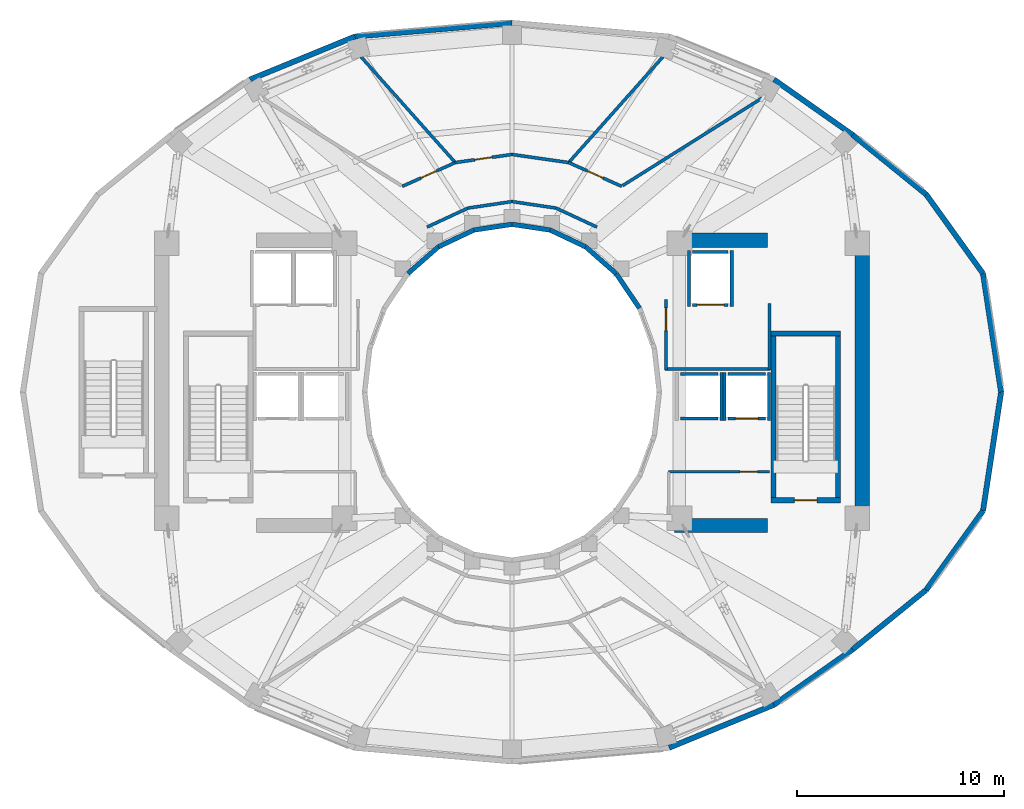
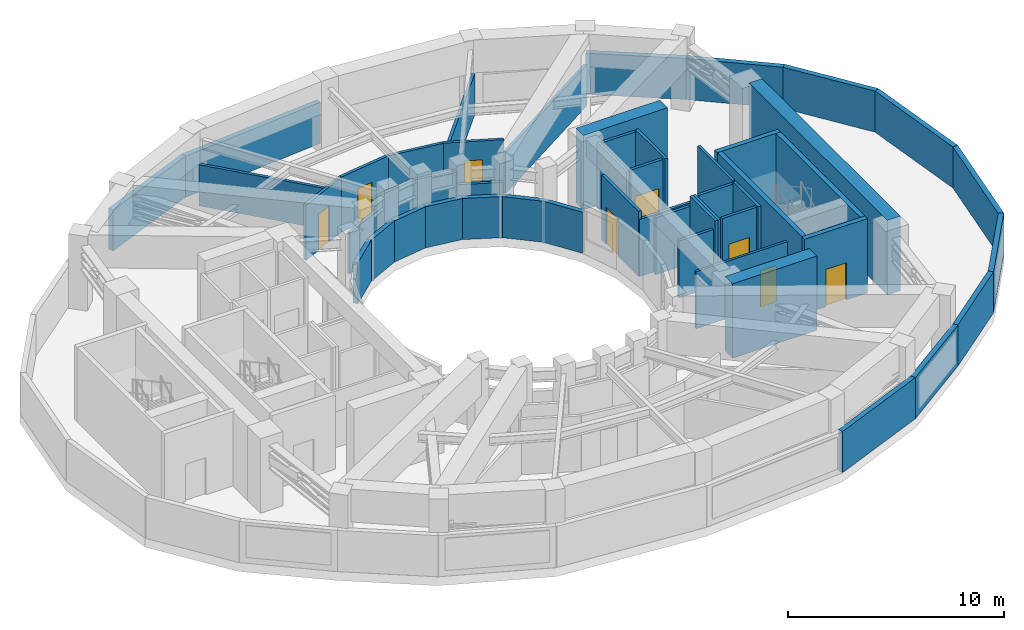
# One storey, part 5 of 10: 51 walls, 8 doors, 8 openings.
"""IFC4 building model written with IfcOpenShell, lengths in metres."""

from ifc_helpers import new_model, si_unit, direction, frame, frame_2d, origin, place, context, subcontext, project, spatial, rectangle, extrude, material, layer, layer_set, type_object, element, fill, save


model = new_model("IFC4")

# Units and contexts
model_context = context("Model", 3, precision=1e-05, world=origin(), true_north=direction((0.0, 1.0)))
body_context = subcontext(model_context, "Body", "Model", "MODEL_VIEW")
ifc_project = project(units=[si_unit("LENGTHUNIT", "METRE"), si_unit("AREAUNIT", "SQUARE_METRE"), si_unit("VOLUMEUNIT", "CUBIC_METRE"), si_unit("PLANEANGLEUNIT", "RADIAN"), si_unit("MASSUNIT", "GRAM", prefix="KILO")], contexts=[model_context])

# Site, building, storey
site_placement = place(None, origin())
site = spatial("IfcSite", under=ifc_project, at=site_placement, CompositionType="ELEMENT")
building_placement = place(site_placement, origin())
building = spatial("IfcBuilding", under=site, at=building_placement, Name="Solvane Sanctuary Tower", CompositionType="ELEMENT")
storey_placement = place(building_placement, frame((0.0, 0.0, 129.0)))
storey = spatial("IfcBuildingStorey", under=building, at=storey_placement, Name="L39", CompositionType="ELEMENT", Elevation=129.0)

# Walls
ifc_material_1 = material(Name="Concrete C60/75", Category="concrete")
ifc_layer_1 = layer(ifc_material_1, 0.699951171875, Name="Concrete C60/75")
ifc_layer_set_1 = layer_set([ifc_layer_1], Name="Concrete C60/75")
wall_type_1 = type_object("IfcWallType", Name="Wall W-CORE-700", PredefinedType="SHEAR", material=ifc_layer_set_1)
wall_1_placement = place(storey_placement, frame((48.949951171875, 17.050048828125, 0.0), z_axis=(0.0, 0.0, 1.0), x_axis=(0.0, 1.0, 0.0)))
element("IfcWall", 1, at=wall_1_placement, inside=storey, type_object=wall_type_1, Name="L39 Core Shear Wall EC-E", PredefinedType="SHEAR", context=body_context, shape_type="SweptSolid", body=[
    extrude(rectangle(XDim=12.800048828125, YDim=0.699951171875, at=frame_2d((6.39990234375, 0.0))), origin(), (0.0, 0.0, 1.0), 4.199951171875),
])
for number, where, z_axis, x_axis, name in (
    (2, (39.85009765625, 16.550048828125, 0.0), (0.0, 0.0, 1.0), (1.0, 0.0, 0.0), "L39 Core Shear Wall EC-S"),
    (3, (39.85009765625, 30.35009765625, 0.0), (0.0, 0.0, 1.0), (1.0, 0.0, 0.0), "L39 Core Shear Wall EC-N"),
):
    element("IfcWall", number, at=place(storey_placement, frame(where, z_axis=z_axis, x_axis=x_axis)), inside=storey, type_object=wall_type_1, Name=name, PredefinedType="SHEAR", context=body_context, shape_type="SweptSolid", body=[
        extrude(rectangle(XDim=4.5, YDim=0.699951171875, at=frame_2d((2.25, 0.0))), origin(), (0.0, 0.0, 1.0), 4.199951171875),
    ])
ifc_material_2 = material(Name="Acoustic Gypsum Partition Board")
ifc_layer_2 = layer(ifc_material_2, 0.14990234375, Name="Acoustic Gypsum Partition Board")
ifc_layer_set_2 = layer_set([ifc_layer_2], Name="Acoustic Gypsum Partition Board")
wall_type_2 = type_object("IfcWallType", Name="Wall W-CORR-150", PredefinedType="PARTITIONING", material=ifc_layer_set_2)
wall_2_placement = place(storey_placement, frame((39.39990234375, 24.1201171875, 0.0), z_axis=(0.0, 0.0, 1.0), x_axis=(1.0, 0.0, 0.0)))
element("IfcWall", 4, at=wall_2_placement, inside=storey, type_object=wall_type_2, Name="L39 East Firefighting Lobby South Wall", PredefinedType="PARTITIONING", context=body_context, shape_type="SweptSolid", body=[
    extrude(rectangle(XDim=5.080078125, YDim=0.14990234375, at=frame_2d((2.5400390625, 0.0))), origin(), (0.0, 0.0, 1.0), 3.219970703125),
])
wall_3_placement = place(storey_placement, frame((44.449951171875, 24.080078125, 0.0), z_axis=(0.0, 0.0, 1.0), x_axis=(0.0, 1.0, 0.0)))
element("IfcWall", 5, at=wall_3_placement, inside=storey, type_object=wall_type_2, Name="L39 East Firefighting Lobby East Wall", PredefinedType="PARTITIONING", context=body_context, shape_type="SweptSolid", body=[
    extrude(rectangle(XDim=3.199951171875, YDim=0.14990234375, at=frame_2d((1.60009765625, 0.0))), origin(), (0.0, 0.0, 1.0), 3.675048828125),
])

# Wall, opening, door
wall_4_placement = place(storey_placement, frame((39.449951171875, 24.080078125, 0.0), z_axis=(0.0, 0.0, 1.0), x_axis=(0.0, 1.0, 0.0)))
wall_4 = element("IfcWall", 6, at=wall_4_placement, inside=storey, type_object=wall_type_2, Name="L39 East Firefighting Lobby West Wall", PredefinedType="PARTITIONING", context=body_context, shape_type="SweptSolid", body=[
    extrude(rectangle(XDim=3.39990234375, YDim=0.14990234375, at=frame_2d((1.699951171875, 0.0))), origin(), (0.0, 0.0, 1.0), 3.675048828125),
])
opening_1_placement = place(wall_4_placement, frame((1.893798828125, 0.0, 0.0)))
opening_1 = element("IfcOpeningElement", 7, at=opening_1_placement, cuts=wall_4, Name="Opening D-L39-05", PredefinedType="OPENING", context=body_context, shape_type="SweptSolid", body=[
    extrude(rectangle(XDim=1.10009765625, YDim=2.10009765625, at=frame_2d((0.550048828125, 1.050048828125))), frame((0.0, 0.0849609375, 0.0), z_axis=(0.0, -1.0, 0.0), x_axis=(1.0, 0.0, 0.0)), (0.0, 0.0, 1.0), 0.169921875),
])
ifc_material_3 = material(Name="Architectural Stainless Steel 316", Category="steel")
door_type_1 = type_object("IfcDoorType", Name="Door D-FFL", OperationType="NOTDEFINED", PredefinedType="DOOR", material=ifc_material_3)
door_1_placement = place(opening_1_placement, origin())
door_1 = element("IfcDoor", 8, at=door_1_placement, inside=storey, type_object=door_type_1, Name="L39 East Firefighting Lobby Fire Door", OperationType="SINGLE_SWING_RIGHT", OverallHeight=2.10009765625, OverallWidth=1.10009765625, PredefinedType="DOOR", context=body_context, shape_type="SweptSolid", body=[
    extrude(rectangle(XDim=1.10009765625, YDim=2.10009765625, at=frame_2d((0.550048828125, 1.050048828125))), frame((0.0, 0.02490234375, 0.0), z_axis=(0.0, -1.0, 0.0), x_axis=(1.0, 0.0, 0.0)), (0.0, 0.0, 1.0), 0.050048828125),
])
fill(opening_1, door_1)

# Walls
wall_5_placement = place(storey_placement, frame((36.110107421875, 30.98486328125, 0.0), z_axis=(0.0, 0.0, 1.0), x_axis=(-0.906943449489, 0.421252393975, 0.0)))
element("IfcWall", 9, at=wall_5_placement, inside=storey, type_object=wall_type_2, Name="L39 Light-Well Corridor Rim Wall N1", PredefinedType="PARTITIONING", context=body_context, shape_type="SweptSolid", body=[
    extrude(rectangle(XDim=2.18603515625, YDim=0.14990234375, at=frame_2d((1.093017578125, 0.0))), origin(), (0.0, 0.0, 1.0), 2.320068359375),
])
for number, where, z_axis, x_axis, name in (
    (10, (34.12744140625, 31.90576171875, 0.0), (0.0, 0.0, 1.0), (-0.989268584896, 0.146108408166, 0.0), "L39 Light-Well Corridor Rim Wall N2"),
    (11, (32.0, 32.219970703125, 0.0), (0.0, 0.0, 1.0), (-0.989268584896, -0.146108408166, 0.0), "L39 Light-Well Corridor Rim Wall N3"),
):
    element("IfcWall", number, at=place(storey_placement, frame(where, z_axis=z_axis, x_axis=x_axis)), inside=storey, type_object=wall_type_2, Name=name, PredefinedType="PARTITIONING", context=body_context, shape_type="SweptSolid", body=[
        extrude(rectangle(XDim=2.150634765625, YDim=0.14990234375, at=frame_2d((1.0751953125, 0.0))), origin(), (0.0, 0.0, 1.0), 3.118896484375),
    ])
wall_6_placement = place(storey_placement, frame((29.87255859375, 31.90576171875, 0.0), z_axis=(0.0, 0.0, 1.0), x_axis=(-0.906943449489, -0.421252393975, 0.0)))
element("IfcWall", 12, at=wall_6_placement, inside=storey, type_object=wall_type_2, Name="L39 Light-Well Corridor Rim Wall N4", PredefinedType="PARTITIONING", context=body_context, shape_type="SweptSolid", body=[
    extrude(rectangle(XDim=2.18603515625, YDim=0.14990234375, at=frame_2d((1.093017578125, 0.0))), origin(), (0.0, 0.0, 1.0), 2.320068359375),
])
wall_7_placement = place(storey_placement, frame((37.3466796875, 32.988525390625, 0.0), z_axis=(0.0, 0.0, 1.0), x_axis=(0.846958426242, 0.531659124081, 0.0)))
element("IfcWall", 13, at=wall_7_placement, inside=storey, type_object=wall_type_2, Name="L39 Mechanical Plant Radial Wall 060", PredefinedType="PARTITIONING", context=body_context, shape_type="SweptSolid", body=[
    extrude(rectangle(XDim=8.031982421875, YDim=0.14990234375, at=frame_2d((4.01611328125, 0.0))), origin(), (0.0, 0.0, 1.0), 2.320068359375),
])
for number, where, z_axis, x_axis, name in (
    (14, (34.780029296875, 34.149169921875, 0.0), (0.0, 0.0, 1.0), (0.665492718471, 0.746404341937, 0.0), "L39 Mechanical Plant Radial Wall 075"),
    (15, (29.219970703125, 34.149169921875, 0.0), (0.0, 0.0, 1.0), (-0.665492718471, 0.746404341937, 0.0), "L39 Mechanical Plant Radial Wall 105"),
):
    element("IfcWall", number, at=place(storey_placement, frame(where, z_axis=z_axis, x_axis=x_axis)), inside=storey, type_object=wall_type_2, Name=name, PredefinedType="PARTITIONING", context=body_context, shape_type="SweptSolid", body=[
        extrude(rectangle(XDim=6.80126953125, YDim=0.14990234375, at=frame_2d((3.400634765625, 0.0))), origin(), (0.0, 0.0, 1.0), 2.320068359375),
    ])

# Wall, opening, door
wall_8_placement = place(storey_placement, frame((37.306396484375, 32.955322265625, 0.0), z_axis=(0.0, 0.0, 1.0), x_axis=(-0.912153204049, 0.409849402028, 0.0)))
wall_8 = element("IfcWall", 16, at=wall_8_placement, inside=storey, type_object=wall_type_2, Name="L39 Plant Corridor Wall 1", PredefinedType="PARTITIONING", context=body_context, shape_type="SweptSolid", body=[
    extrude(rectangle(XDim=2.817626953125, YDim=0.14990234375, at=frame_2d((1.40869140625, 0.0))), origin(), (0.0, 0.0, 1.0), 3.118896484375),
])
opening_2_placement = place(wall_8_placement, frame((0.98388671875, 0.0, 0.0)))
opening_2 = element("IfcOpeningElement", 17, at=opening_2_placement, cuts=wall_8, Name="Opening D-L39-08", PredefinedType="OPENING", context=body_context, shape_type="SweptSolid", body=[
    extrude(rectangle(XDim=0.85009765625, YDim=2.050048828125, at=frame_2d((0.425048828125, 1.02490234375))), frame((0.0, 0.0849609375, 0.0), z_axis=(0.0, -1.0, 0.0), x_axis=(1.0, 0.0, 0.0)), (0.0, 0.0, 1.0), 0.169921875),
])
door_type_2 = type_object("IfcDoorType", Name="Door D-RISER", OperationType="NOTDEFINED", PredefinedType="DOOR", material=ifc_material_3)
door_2_placement = place(opening_2_placement, origin())
door_2 = element("IfcDoor", 18, at=door_2_placement, inside=storey, type_object=door_type_2, Name="L39 Plant Room Door 1", OperationType="SINGLE_SWING_LEFT", OverallHeight=2.050048828125, OverallWidth=0.85009765625, PredefinedType="DOOR", context=body_context, shape_type="SweptSolid", body=[
    extrude(rectangle(XDim=0.85009765625, YDim=2.050048828125, at=frame_2d((0.425048828125, 1.02490234375))), frame((0.0, 0.02490234375, 0.0), z_axis=(0.0, -1.0, 0.0), x_axis=(1.0, 0.0, 0.0)), (0.0, 0.0, 1.0), 0.050048828125),
])
fill(opening_2, door_2)

# Wall
wall_9_placement = place(storey_placement, frame((34.75048828125, 34.106201171875, 0.0), z_axis=(0.0, 0.0, 1.0), x_axis=(-0.989919617721, 0.141630330263, 0.0)))
element("IfcWall", 19, at=wall_9_placement, inside=storey, type_object=wall_type_2, Name="L39 Plant Corridor Wall 2", PredefinedType="PARTITIONING", context=body_context, shape_type="SweptSolid", body=[
    extrude(rectangle(XDim=2.780517578125, YDim=0.14990234375, at=frame_2d((1.39013671875, 0.0))), origin(), (0.0, 0.0, 1.0), 3.118896484375),
])

# Wall, opening, door
wall_10_placement = place(storey_placement, frame((32.001953125, 34.5, 0.0), z_axis=(0.0, 0.0, 1.0), x_axis=(-0.989919617721, -0.141630330263, 0.0)))
wall_10 = element("IfcWall", 20, at=wall_10_placement, inside=storey, type_object=wall_type_2, Name="L39 Plant Corridor Wall 2", PredefinedType="PARTITIONING", context=body_context, shape_type="SweptSolid", body=[
    extrude(rectangle(XDim=2.780517578125, YDim=0.14990234375, at=frame_2d((1.39013671875, 0.0))), origin(), (0.0, 0.0, 1.0), 3.118896484375),
])
opening_3_placement = place(wall_10_placement, frame((0.96533203125, 0.0, 0.0)))
opening_3 = element("IfcOpeningElement", 21, at=opening_3_placement, cuts=wall_10, Name="Opening D-L39-09", PredefinedType="OPENING", context=body_context, shape_type="SweptSolid", body=[
    extrude(rectangle(XDim=0.85009765625, YDim=2.050048828125, at=frame_2d((0.425048828125, 1.02490234375))), frame((0.0, 0.0849609375, 0.0), z_axis=(0.0, -1.0, 0.0), x_axis=(1.0, 0.0, 0.0)), (0.0, 0.0, 1.0), 0.169921875),
])
door_3_placement = place(opening_3_placement, origin())
door_3 = element("IfcDoor", 22, at=door_3_placement, inside=storey, type_object=door_type_2, Name="L39 Plant Room Door 2", OperationType="SINGLE_SWING_RIGHT", OverallHeight=2.050048828125, OverallWidth=0.85009765625, PredefinedType="DOOR", context=body_context, shape_type="SweptSolid", body=[
    extrude(rectangle(XDim=0.85009765625, YDim=2.050048828125, at=frame_2d((0.425048828125, 1.02490234375))), frame((0.0, 0.02490234375, 0.0), z_axis=(0.0, -1.0, 0.0), x_axis=(1.0, 0.0, 0.0)), (0.0, 0.0, 1.0), 0.050048828125),
])
fill(opening_3, door_3)

wall_11_placement = place(storey_placement, frame((29.263671875, 34.110107421875, 0.0), z_axis=(0.0, 0.0, 1.0), x_axis=(-0.912153204049, -0.409849402028, 0.0)))
wall_11 = element("IfcWall", 23, at=wall_11_placement, inside=storey, type_object=wall_type_2, Name="L39 Plant Corridor Wall 3", PredefinedType="PARTITIONING", context=body_context, shape_type="SweptSolid", body=[
    extrude(rectangle(XDim=2.817626953125, YDim=0.14990234375, at=frame_2d((1.40869140625, 0.0))), origin(), (0.0, 0.0, 1.0), 3.118896484375),
])
opening_4_placement = place(wall_11_placement, frame((0.98388671875, 0.0, 0.0)))
opening_4 = element("IfcOpeningElement", 24, at=opening_4_placement, cuts=wall_11, Name="Opening D-L39-10", PredefinedType="OPENING", context=body_context, shape_type="SweptSolid", body=[
    extrude(rectangle(XDim=0.85009765625, YDim=2.050048828125, at=frame_2d((0.425048828125, 1.02490234375))), frame((0.0, 0.0849609375, 0.0), z_axis=(0.0, -1.0, 0.0), x_axis=(1.0, 0.0, 0.0)), (0.0, 0.0, 1.0), 0.169921875),
])
door_4_placement = place(opening_4_placement, origin())
door_4 = element("IfcDoor", 25, at=door_4_placement, inside=storey, type_object=door_type_2, Name="L39 Plant Room Door 3", OperationType="SINGLE_SWING_LEFT", OverallHeight=2.050048828125, OverallWidth=0.85009765625, PredefinedType="DOOR", context=body_context, shape_type="SweptSolid", body=[
    extrude(rectangle(XDim=0.85009765625, YDim=2.050048828125, at=frame_2d((0.425048828125, 1.02490234375))), frame((0.0, 0.02490234375, 0.0), z_axis=(0.0, -1.0, 0.0), x_axis=(1.0, 0.0, 0.0)), (0.0, 0.0, 1.0), 0.050048828125),
])
fill(opening_4, door_4)

# Walls
ifc_material_4 = material(Name="Precast concrete C40/50", Category="concrete")
ifc_layer_3 = layer(ifc_material_4, 0.260009765625, Name="Precast concrete C40/50")
ifc_layer_set_3 = layer_set([ifc_layer_3], Name="Precast concrete C40/50")
wall_type_3 = type_object("IfcWallType", Name="Wall W-EXT-250", PredefinedType="STANDARD", material=ifc_layer_set_3)
wall_12_placement = place(storey_placement, frame((55.659912109375, 23.0, 0.0), z_axis=(0.0, 0.0, 1.0), x_axis=(-0.150663564271, 0.988585095174, 0.0)))
element("IfcWall", 26, at=wall_12_placement, inside=storey, type_object=wall_type_3, Name="L39 Mechanical Plant Perimeter Wall 00", PredefinedType="STANDARD", context=body_context, shape_type="SweptSolid", body=[
    extrude(rectangle(XDim=5.805908203125, YDim=0.260009765625, at=frame_2d((2.90283203125, 0.0))), origin(), (0.0, 0.0, 1.0), 2.320068359375),
])
wall_13_placement = place(storey_placement, frame((54.78515625, 28.73974609375, 0.0), z_axis=(0.0, 0.0, 1.0), x_axis=(-0.583704335039, 0.811966285788, 0.0)))
element("IfcWall", 27, at=wall_13_placement, inside=storey, type_object=wall_type_3, Name="L39 Mechanical Plant Perimeter Wall 01", PredefinedType="STANDARD", context=body_context, shape_type="SweptSolid", body=[
    extrude(rectangle(XDim=4.714599609375, YDim=0.260009765625, at=frame_2d((2.357421875, 0.0))), origin(), (0.0, 0.0, 1.0), 2.320068359375),
])
wall_14_placement = place(storey_placement, frame((52.033203125, 32.56787109375, 0.0), z_axis=(0.0, 0.0, 1.0), x_axis=(-0.776963479771, 0.629545670387, 0.0)))
element("IfcWall", 28, at=wall_14_placement, inside=storey, type_object=wall_type_3, Name="L39 Mechanical Plant Perimeter Wall 02", PredefinedType="STANDARD", context=body_context, shape_type="SweptSolid", body=[
    extrude(rectangle(XDim=4.567626953125, YDim=0.260009765625, at=frame_2d((2.28369140625, 0.0))), origin(), (0.0, 0.0, 1.0), 2.320068359375),
])
wall_15_placement = place(storey_placement, frame((48.484375, 35.443359375, 0.0), z_axis=(0.0, 0.0, 1.0), x_axis=(-0.817976353794, 0.575251844529, 0.0)))
element("IfcWall", 29, at=wall_15_placement, inside=storey, type_object=wall_type_3, Name="L39 Mechanical Plant Perimeter Wall 03", PredefinedType="STANDARD", context=body_context, shape_type="SweptSolid", body=[
    extrude(rectangle(XDim=4.656982421875, YDim=0.260009765625, at=frame_2d((2.32861328125, 0.0))), origin(), (0.0, 0.0, 1.0), 2.320068359375),
])
wall_16_placement = place(storey_placement, frame((32.0, 40.860107421875, 0.0), z_axis=(0.0, 0.0, 1.0), x_axis=(-0.996249584918, -0.086526091739, 0.0)))
element("IfcWall", 30, at=wall_16_placement, inside=storey, type_object=wall_type_3, Name="L39 Mechanical Plant Perimeter Wall 06", PredefinedType="STANDARD", context=body_context, shape_type="SweptSolid", body=[
    extrude(rectangle(XDim=7.63232421875, YDim=0.260009765625, at=frame_2d((3.816162109375, 0.0))), origin(), (0.0, 0.0, 1.0), 2.320068359375),
])
for number, where, z_axis, x_axis, name in (
    (31, (24.396240234375, 40.19970703125, 0.0), (0.0, 0.0, 1.0), (-0.925369447545, -0.379066465875, 0.0), "L39 Mechanical Plant Perimeter Wall 07"),
    (32, (39.603759765625, 5.80029296875, 0.0), (0.0, 0.0, 1.0), (0.925369447545, 0.379066465875, 0.0), "L39 Mechanical Plant Perimeter Wall 19"),
):
    element("IfcWall", number, at=place(storey_placement, frame(where, z_axis=z_axis, x_axis=x_axis)), inside=storey, type_object=wall_type_3, Name=name, PredefinedType="STANDARD", context=body_context, shape_type="SweptSolid", body=[
        extrude(rectangle(XDim=5.480224609375, YDim=0.260009765625, at=frame_2d((2.740234375, 0.0))), origin(), (0.0, 0.0, 1.0), 2.320068359375),
    ])
wall_17_placement = place(storey_placement, frame((44.675048828125, 7.877685546875, 0.0), z_axis=(0.0, 0.0, 1.0), x_axis=(0.817976353794, 0.575251844529, 0.0)))
element("IfcWall", 33, at=wall_17_placement, inside=storey, type_object=wall_type_3, Name="L39 Mechanical Plant Perimeter Wall 20", PredefinedType="STANDARD", context=body_context, shape_type="SweptSolid", body=[
    extrude(rectangle(XDim=4.656982421875, YDim=0.260009765625, at=frame_2d((2.32861328125, 0.0))), origin(), (0.0, 0.0, 1.0), 2.320068359375),
])
wall_18_placement = place(storey_placement, frame((48.484375, 10.556640625, 0.0), z_axis=(0.0, 0.0, 1.0), x_axis=(0.776963479771, 0.629545670387, 0.0)))
element("IfcWall", 34, at=wall_18_placement, inside=storey, type_object=wall_type_3, Name="L39 Mechanical Plant Perimeter Wall 21", PredefinedType="STANDARD", context=body_context, shape_type="SweptSolid", body=[
    extrude(rectangle(XDim=4.567626953125, YDim=0.260009765625, at=frame_2d((2.28369140625, 0.0))), origin(), (0.0, 0.0, 1.0), 2.320068359375),
])
wall_19_placement = place(storey_placement, frame((52.033203125, 13.43212890625, 0.0), z_axis=(0.0, 0.0, 1.0), x_axis=(0.583704335039, 0.811966285788, 0.0)))
element("IfcWall", 35, at=wall_19_placement, inside=storey, type_object=wall_type_3, Name="L39 Mechanical Plant Perimeter Wall 22", PredefinedType="STANDARD", context=body_context, shape_type="SweptSolid", body=[
    extrude(rectangle(XDim=4.714599609375, YDim=0.260009765625, at=frame_2d((2.357421875, 0.0))), origin(), (0.0, 0.0, 1.0), 2.320068359375),
])
wall_20_placement = place(storey_placement, frame((54.78515625, 17.26025390625, 0.0), z_axis=(0.0, 0.0, 1.0), x_axis=(0.150663564271, 0.988585095174, 0.0)))
element("IfcWall", 36, at=wall_20_placement, inside=storey, type_object=wall_type_3, Name="L39 Mechanical Plant Perimeter Wall 23", PredefinedType="STANDARD", context=body_context, shape_type="SweptSolid", body=[
    extrude(rectangle(XDim=5.805908203125, YDim=0.260009765625, at=frame_2d((2.90283203125, 0.0))), origin(), (0.0, 0.0, 1.0), 2.320068359375),
])
ifc_layer_4 = layer(ifc_material_4, 0.22998046875, Name="Precast concrete C40/50")
ifc_layer_set_4 = layer_set([ifc_layer_4], Name="Precast concrete C40/50")
wall_type_4 = type_object("IfcWallType", Name="Wall W-EXT-SP220", PredefinedType="STANDARD", material=ifc_layer_set_4)
wall_21_placement = place(storey_placement, frame((38.166015625, 27.06005859375, 0.0), z_axis=(0.0, 0.0, 1.0), x_axis=(-0.558197800898, 0.829707909492, 0.0)))
element("IfcWall", 37, at=wall_21_placement, inside=storey, type_object=wall_type_4, Name="L39 Central Light-Well Wall 02", PredefinedType="STANDARD", context=body_context, shape_type="SweptSolid", body=[
    extrude(rectangle(XDim=2.02685546875, YDim=0.22998046875, at=frame_2d((1.013427734375, 0.0))), origin(), (0.0, 0.0, 1.0), 2.320068359375),
])
wall_22_placement = place(storey_placement, frame((37.03466796875, 28.74169921875, 0.0), z_axis=(0.0, 0.0, 1.0), x_axis=(-0.752576694707, 0.658504607869, 0.0)))
element("IfcWall", 38, at=wall_22_placement, inside=storey, type_object=wall_type_4, Name="L39 Central Light-Well Wall 03", PredefinedType="STANDARD", context=body_context, shape_type="SweptSolid", body=[
    extrude(rectangle(XDim=1.95947265625, YDim=0.22998046875, at=frame_2d((0.979736328125, 0.0))), origin(), (0.0, 0.0, 1.0), 2.320068359375),
])
wall_23_placement = place(storey_placement, frame((35.56005859375, 30.031982421875, 0.0), z_axis=(0.0, 0.0, 1.0), x_axis=(-0.904179699603, 0.427152280606, 0.0)))
element("IfcWall", 39, at=wall_23_placement, inside=storey, type_object=wall_type_4, Name="L39 Central Light-Well Wall 04", PredefinedType="STANDARD", context=body_context, shape_type="SweptSolid", body=[
    extrude(rectangle(XDim=1.899169921875, YDim=0.22998046875, at=frame_2d((0.94970703125, 0.0))), origin(), (0.0, 0.0, 1.0), 2.320068359375),
])
for number, where, z_axis, x_axis, name in (
    (40, (33.8427734375, 30.84326171875, 0.0), (0.0, 0.0, 1.0), (-0.988901730308, 0.148571086668, 0.0), "L39 Central Light-Well Wall 05"),
    (41, (32.0, 31.1201171875, 0.0), (0.0, 0.0, 1.0), (-0.988901730308, -0.148571086668, 0.0), "L39 Central Light-Well Wall 06"),
):
    element("IfcWall", number, at=place(storey_placement, frame(where, z_axis=z_axis, x_axis=x_axis)), inside=storey, type_object=wall_type_4, Name=name, PredefinedType="STANDARD", context=body_context, shape_type="SweptSolid", body=[
        extrude(rectangle(XDim=1.863525390625, YDim=0.22998046875, at=frame_2d((0.931640625, 0.0))), origin(), (0.0, 0.0, 1.0), 2.320068359375),
    ])
wall_24_placement = place(storey_placement, frame((30.1572265625, 30.84326171875, 0.0), z_axis=(0.0, 0.0, 1.0), x_axis=(-0.904179699603, -0.427152280606, 0.0)))
element("IfcWall", 42, at=wall_24_placement, inside=storey, type_object=wall_type_4, Name="L39 Central Light-Well Wall 07", PredefinedType="STANDARD", context=body_context, shape_type="SweptSolid", body=[
    extrude(rectangle(XDim=1.899169921875, YDim=0.22998046875, at=frame_2d((0.94970703125, 0.0))), origin(), (0.0, 0.0, 1.0), 2.320068359375),
])
wall_25_placement = place(storey_placement, frame((28.43994140625, 30.031982421875, 0.0), z_axis=(0.0, 0.0, 1.0), x_axis=(-0.752576694707, -0.658504607869, 0.0)))
element("IfcWall", 43, at=wall_25_placement, inside=storey, type_object=wall_type_4, Name="L39 Central Light-Well Wall 08", PredefinedType="STANDARD", context=body_context, shape_type="SweptSolid", body=[
    extrude(rectangle(XDim=1.95947265625, YDim=0.22998046875, at=frame_2d((0.979736328125, 0.0))), origin(), (0.0, 0.0, 1.0), 2.320068359375),
])

# Wall, opening, door
ifc_layer_5 = layer(ifc_material_2, 0.125, Name="Acoustic Gypsum Partition Board")
ifc_layer_set_5 = layer_set([ifc_layer_5], Name="Acoustic Gypsum Partition Board")
wall_type_5 = type_object("IfcWallType", Name="Wall W-PART-125", PredefinedType="PARTITIONING", material=ifc_layer_set_5)
wall_26_placement = place(storey_placement, frame((39.580078125, 19.159912109375, 0.0), z_axis=(0.0, 0.0, 1.0), x_axis=(1.0, 0.0, 0.0)))
wall_26 = element("IfcWall", 44, at=wall_26_placement, inside=storey, type_object=wall_type_5, Name="L39 Reclaimed Room Partition PLE", PredefinedType="PARTITIONING", context=body_context, shape_type="SweptSolid", body=[
    extrude(rectangle(XDim=4.869873046875, YDim=0.125, at=frame_2d((2.43505859375, 0.0))), origin(), (0.0, 0.0, 1.0), 3.219970703125),
])
opening_5_placement = place(wall_26_placement, frame((3.449951171875, 0.0, 0.0)))
opening_5 = element("IfcOpeningElement", 45, at=opening_5_placement, cuts=wall_26, Name="Opening D-L39-07", PredefinedType="OPENING", context=body_context, shape_type="SweptSolid", body=[
    extrude(rectangle(XDim=0.85009765625, YDim=2.050048828125, at=frame_2d((0.425048828125, 1.02490234375))), frame((0.0, 0.072509765625, 0.0), z_axis=(0.0, -1.0, 0.0), x_axis=(1.0, 0.0, 0.0)), (0.0, 0.0, 1.0), 0.14501953125),
])
door_5_placement = place(opening_5_placement, origin())
door_5 = element("IfcDoor", 46, at=door_5_placement, inside=storey, type_object=door_type_2, Name="L39 Reclaimed Room Door PLE-1", OperationType="SINGLE_SWING_RIGHT", OverallHeight=2.050048828125, OverallWidth=0.85009765625, PredefinedType="DOOR", context=body_context, shape_type="SweptSolid", body=[
    extrude(rectangle(XDim=0.85009765625, YDim=2.050048828125, at=frame_2d((0.425048828125, 1.02490234375))), frame((0.0, 0.02490234375, 0.0), z_axis=(0.0, -1.0, 0.0), x_axis=(1.0, 0.0, 0.0)), (0.0, 0.0, 1.0), 0.050048828125),
])
fill(opening_5, door_5)

ifc_material_5 = material(Name="Concrete C50/60", Category="concrete")
ifc_layer_6 = layer(ifc_material_5, 0.14990234375, Name="Concrete C50/60")
ifc_layer_set_6 = layer_set([ifc_layer_6], Name="Concrete C50/60")
wall_type_6 = type_object("IfcWallType", Name="Wall W-SHAFT-150", PredefinedType="SOLIDWALL", material=ifc_layer_set_6)
wall_27_placement = place(storey_placement, frame((42.43994140625, 21.719970703125, 0.0), z_axis=(0.0, 0.0, 1.0), x_axis=(1.0, 0.0, 0.0)))
wall_27 = element("IfcWall", 47, at=wall_27_placement, inside=storey, type_object=wall_type_6, Name="L39 PM-2 Lift Shaft Wall F", PredefinedType="SOLIDWALL", context=body_context, shape_type="SweptSolid", body=[
    extrude(rectangle(XDim=1.820068359375, YDim=0.14990234375, at=frame_2d((0.91015625, 0.0))), origin(), (0.0, 0.0, 1.0), 3.675048828125),
])
opening_6_placement = place(wall_27_placement, frame((0.360107421875, 0.0, 0.0)))
opening_6 = element("IfcOpeningElement", 48, at=opening_6_placement, cuts=wall_27, Name="Opening LD-L39-02", PredefinedType="OPENING", context=body_context, shape_type="SweptSolid", body=[
    extrude(rectangle(XDim=1.10009765625, YDim=2.10009765625, at=frame_2d((0.550048828125, 1.050048828125))), frame((0.0, 0.0849609375, 0.0), z_axis=(0.0, -1.0, 0.0), x_axis=(1.0, 0.0, 0.0)), (0.0, 0.0, 1.0), 0.169921875),
])
door_type_3 = type_object("IfcDoorType", Name="Door LD-PASS-1100", OperationType="NOTDEFINED", PredefinedType="DOOR", material=ifc_material_3)
door_6_placement = place(opening_6_placement, origin())
door_6 = element("IfcDoor", 49, at=door_6_placement, inside=storey, type_object=door_type_3, Name="L39 PM-2 Lift Landing Door", OperationType="DOUBLE_DOOR_SLIDING", OverallHeight=2.10009765625, OverallWidth=1.10009765625, PredefinedType="DOOR", context=body_context, shape_type="SweptSolid", body=[
    extrude(rectangle(XDim=1.10009765625, YDim=2.10009765625, at=frame_2d((0.550048828125, 1.050048828125))), frame((0.0, 0.02490234375, 0.0), z_axis=(0.0, -1.0, 0.0), x_axis=(1.0, 0.0, 0.0)), (0.0, 0.0, 1.0), 0.050048828125),
])
fill(opening_6, door_6)

# Walls
wall_28_placement = place(storey_placement, frame((42.43994140625, 23.8798828125, 0.0), z_axis=(0.0, 0.0, 1.0), x_axis=(1.0, 0.0, 0.0)))
element("IfcWall", 50, at=wall_28_placement, inside=storey, type_object=wall_type_6, Name="L39 PM-2 Lift Shaft Wall B", PredefinedType="SOLIDWALL", context=body_context, shape_type="SweptSolid", body=[
    extrude(rectangle(XDim=1.820068359375, YDim=0.14990234375, at=frame_2d((0.91015625, 0.0))), origin(), (0.0, 0.0, 1.0), 3.675048828125),
])
for number, where, z_axis, x_axis, name in (
    (51, (42.27001953125, 21.639892578125, 0.0), (0.0, 0.0, 1.0), (0.0, 1.0, 0.0), "L39 PM-2 Lift Shaft Wall S1"),
    (52, (44.429931640625, 21.639892578125, 0.0), (0.0, 0.0, 1.0), (0.0, 1.0, 0.0), "L39 PM-2 Lift Shaft Wall S2"),
):
    element("IfcWall", number, at=place(storey_placement, frame(where, z_axis=z_axis, x_axis=x_axis)), inside=storey, type_object=wall_type_6, Name=name, PredefinedType="SOLIDWALL", context=body_context, shape_type="SweptSolid", body=[
        extrude(rectangle(XDim=2.320068359375, YDim=0.14990234375, at=frame_2d((1.16015625, 0.0))), origin(), (0.0, 0.0, 1.0), 3.675048828125),
    ])
for number, where, z_axis, x_axis, name in (
    (53, (40.139892578125, 21.719970703125, 0.0), (0.0, 0.0, 1.0), (1.0, 0.0, 0.0), "L39 PH-2 Lift Shaft Wall F"),
    (54, (40.139892578125, 23.8798828125, 0.0), (0.0, 0.0, 1.0), (1.0, 0.0, 0.0), "L39 PH-2 Lift Shaft Wall B"),
):
    element("IfcWall", number, at=place(storey_placement, frame(where, z_axis=z_axis, x_axis=x_axis)), inside=storey, type_object=wall_type_6, Name=name, PredefinedType="SOLIDWALL", context=body_context, shape_type="SweptSolid", body=[
        extrude(rectangle(XDim=1.820068359375, YDim=0.14990234375, at=frame_2d((0.91015625, 0.0))), origin(), (0.0, 0.0, 1.0), 3.219970703125),
    ])
wall_29_placement = place(storey_placement, frame((42.1298828125, 21.639892578125, 0.0), z_axis=(0.0, 0.0, 1.0), x_axis=(0.0, 1.0, 0.0)))
element("IfcWall", 55, at=wall_29_placement, inside=storey, type_object=wall_type_6, Name="L39 PH-2 Lift Shaft Wall S2", PredefinedType="SOLIDWALL", context=body_context, shape_type="SweptSolid", body=[
    extrude(rectangle(XDim=2.320068359375, YDim=0.14990234375, at=frame_2d((1.16015625, 0.0))), origin(), (0.0, 0.0, 1.0), 3.675048828125),
])

# Wall, opening, door
wall_30_placement = place(storey_placement, frame((40.739990234375, 27.219970703125, 0.0), z_axis=(0.0, 0.0, 1.0), x_axis=(1.0, 0.0, 0.0)))
wall_30 = element("IfcWall", 56, at=wall_30_placement, inside=storey, type_object=wall_type_6, Name="L39 FFL-2 Lift Shaft Wall F", PredefinedType="SOLIDWALL", context=body_context, shape_type="SweptSolid", body=[
    extrude(rectangle(XDim=1.719970703125, YDim=0.14990234375, at=frame_2d((0.85986328125, 0.0))), origin(), (0.0, 0.0, 1.0), 3.675048828125),
])
opening_7_placement = place(wall_30_placement, frame((0.2099609375, 0.0, 0.0)))
opening_7 = element("IfcOpeningElement", 57, at=opening_7_placement, cuts=wall_30, Name="Opening LD-L39-05", PredefinedType="OPENING", context=body_context, shape_type="SweptSolid", body=[
    extrude(rectangle(XDim=1.300048828125, YDim=2.10009765625, at=frame_2d((0.64990234375, 1.050048828125))), frame((0.0, 0.0849609375, 0.0), z_axis=(0.0, -1.0, 0.0), x_axis=(1.0, 0.0, 0.0)), (0.0, 0.0, 1.0), 0.169921875),
])
door_type_4 = type_object("IfcDoorType", Name="Door LD-FFL-1300", OperationType="NOTDEFINED", PredefinedType="DOOR", material=ifc_material_3)
door_7_placement = place(opening_7_placement, origin())
door_7 = element("IfcDoor", 58, at=door_7_placement, inside=storey, type_object=door_type_4, Name="L39 FFL-2 Lift Landing Door", OperationType="DOUBLE_DOOR_SLIDING", OverallHeight=2.10009765625, OverallWidth=1.300048828125, PredefinedType="DOOR", context=body_context, shape_type="SweptSolid", body=[
    extrude(rectangle(XDim=1.300048828125, YDim=2.10009765625, at=frame_2d((0.64990234375, 1.050048828125))), frame((0.0, 0.02490234375, 0.0), z_axis=(0.0, -1.0, 0.0), x_axis=(1.0, 0.0, 0.0)), (0.0, 0.0, 1.0), 0.050048828125),
])
fill(opening_7, door_7)

# Walls
wall_31_placement = place(storey_placement, frame((40.739990234375, 29.780029296875, 0.0), z_axis=(0.0, 0.0, 1.0), x_axis=(1.0, 0.0, 0.0)))
element("IfcWall", 59, at=wall_31_placement, inside=storey, type_object=wall_type_6, Name="L39 FFL-2 Lift Shaft Wall B", PredefinedType="SOLIDWALL", context=body_context, shape_type="SweptSolid", body=[
    extrude(rectangle(XDim=1.719970703125, YDim=0.14990234375, at=frame_2d((0.85986328125, 0.0))), origin(), (0.0, 0.0, 1.0), 3.675048828125),
])
for number, where, z_axis, x_axis, name in (
    (60, (40.570068359375, 27.139892578125, 0.0), (0.0, 0.0, 1.0), (0.0, 1.0, 0.0), "L39 FFL-2 Lift Shaft Wall S1"),
    (61, (42.6298828125, 27.139892578125, 0.0), (0.0, 0.0, 1.0), (0.0, 1.0, 0.0), "L39 FFL-2 Lift Shaft Wall S2"),
):
    element("IfcWall", number, at=place(storey_placement, frame(where, z_axis=z_axis, x_axis=x_axis)), inside=storey, type_object=wall_type_6, Name=name, PredefinedType="SOLIDWALL", context=body_context, shape_type="SweptSolid", body=[
        extrude(rectangle(XDim=2.72021484375, YDim=0.14990234375, at=frame_2d((1.360107421875, 0.0))), origin(), (0.0, 0.0, 1.0), 3.675048828125),
    ])

# Wall, opening, door
ifc_layer_7 = layer(ifc_material_5, 0.25, Name="Concrete C50/60")
ifc_layer_set_7 = layer_set([ifc_layer_7], Name="Concrete C50/60")
wall_type_7 = type_object("IfcWallType", Name="Wall W-SHAFT-250", PredefinedType="SOLIDWALL", material=ifc_layer_set_7)
wall_32_placement = place(storey_placement, frame((44.52490234375, 17.77001953125, 0.0), z_axis=(0.0, 0.0, 1.0), x_axis=(1.0, 0.0, 0.0)))
wall_32 = element("IfcWall", 62, at=wall_32_placement, inside=storey, type_object=wall_type_7, Name="L39 ST-2 Load-Bearing Shaft Wall S", PredefinedType="SOLIDWALL", context=body_context, shape_type="SweptSolid", body=[
    extrude(rectangle(XDim=3.3701171875, YDim=0.25, at=frame_2d((1.68505859375, 0.0))), origin(), (0.0, 0.0, 1.0), 4.199951171875),
])
opening_8_placement = place(wall_32_placement, frame((1.135009765625, 0.0, 0.0)))
opening_8 = element("IfcOpeningElement", 63, at=opening_8_placement, cuts=wall_32, Name="Opening D-L39-02", PredefinedType="OPENING", context=body_context, shape_type="SweptSolid", body=[
    extrude(rectangle(XDim=1.10009765625, YDim=2.10009765625, at=frame_2d((0.550048828125, 1.050048828125))), frame((0.0, 0.135009765625, 0.0), z_axis=(0.0, -1.0, 0.0), x_axis=(1.0, 0.0, 0.0)), (0.0, 0.0, 1.0), 0.27001953125),
])
door_type_5 = type_object("IfcDoorType", Name="Door D-STAIR", OperationType="NOTDEFINED", PredefinedType="DOOR", material=ifc_material_3)
door_8_placement = place(opening_8_placement, origin())
door_8 = element("IfcDoor", 64, at=door_8_placement, inside=storey, type_object=door_type_5, Name="L39 ST-2 Exit Stair Fire Door", OperationType="SINGLE_SWING_RIGHT", OverallHeight=2.10009765625, OverallWidth=1.10009765625, PredefinedType="DOOR", context=body_context, shape_type="SweptSolid", body=[
    extrude(rectangle(XDim=1.10009765625, YDim=2.10009765625, at=frame_2d((0.550048828125, 1.050048828125))), frame((0.0, 0.02490234375, 0.0), z_axis=(0.0, -1.0, 0.0), x_axis=(1.0, 0.0, 0.0)), (0.0, 0.0, 1.0), 0.050048828125),
])
fill(opening_8, door_8)

# Walls
wall_33_placement = place(storey_placement, frame((44.52490234375, 25.830078125, 0.0), z_axis=(0.0, 0.0, 1.0), x_axis=(1.0, 0.0, 0.0)))
element("IfcWall", 65, at=wall_33_placement, inside=storey, type_object=wall_type_7, Name="L39 ST-2 Load-Bearing Shaft Wall N", PredefinedType="SOLIDWALL", context=body_context, shape_type="SweptSolid", body=[
    extrude(rectangle(XDim=3.3701171875, YDim=0.25, at=frame_2d((1.68505859375, 0.0))), origin(), (0.0, 0.0, 1.0), 4.199951171875),
])
for number, where, z_axis, x_axis, name in (
    (66, (44.64990234375, 17.89501953125, 0.0), (0.0, 0.0, 1.0), (0.0, 1.0, 0.0), "L39 ST-2 Load-Bearing Shaft Wall W"),
    (67, (47.77001953125, 17.89501953125, 0.0), (0.0, 0.0, 1.0), (0.0, 1.0, 0.0), "L39 ST-2 Load-Bearing Shaft Wall E"),
):
    element("IfcWall", number, at=place(storey_placement, frame(where, z_axis=z_axis, x_axis=x_axis)), inside=storey, type_object=wall_type_7, Name=name, PredefinedType="SOLIDWALL", context=body_context, shape_type="SweptSolid", body=[
        extrude(rectangle(XDim=7.81005859375, YDim=0.25, at=frame_2d((3.905029296875, 0.0))), origin(), (0.0, 0.0, 1.0), 4.199951171875),
    ])

save(model, "model.ifc")
